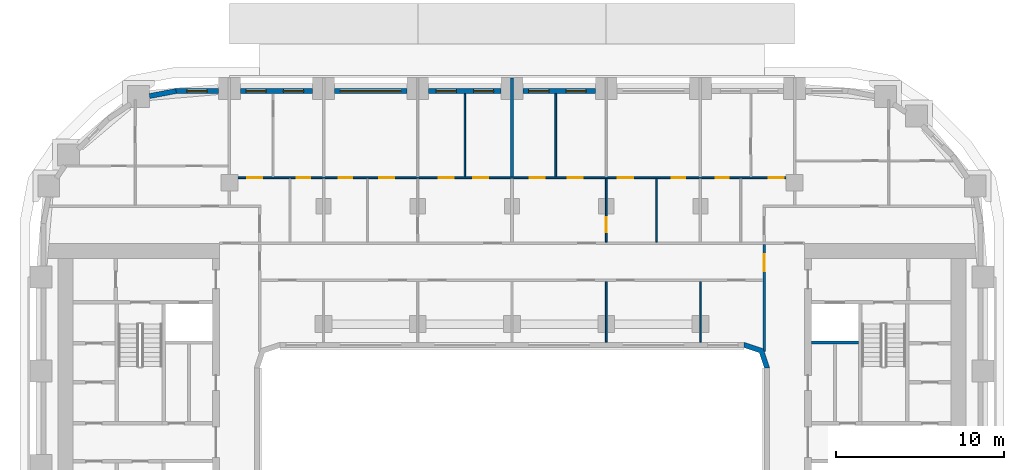
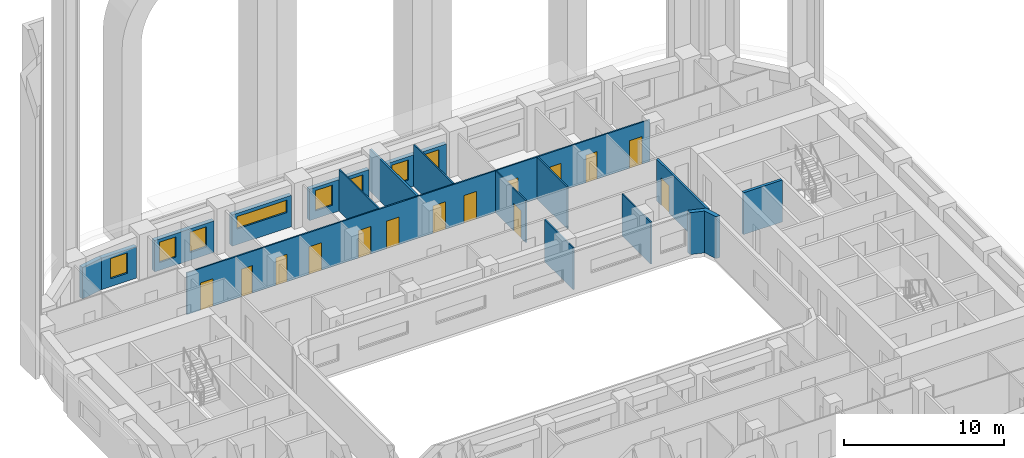
# One storey, part 9 of 19: 17 walls, 14 doors, 8 windows, 22 openings.
"""IFC4 building model written with IfcOpenShell, lengths in metres."""

from ifc_helpers import new_model, si_unit, direction, frame, frame_2d, origin, place, context, subcontext, project, spatial, polyline, rectangle, outline, extrude, material, layer, layer_set, type_object, element, fill, save


model = new_model("IFC4")

# Units and contexts
model_context = context("Model", 3, precision=1e-05, world=origin(), true_north=direction((0.0, 1.0)))
body_context = subcontext(model_context, "Body", "Model", "MODEL_VIEW")
ifc_project = project(units=[si_unit("LENGTHUNIT", "METRE"), si_unit("AREAUNIT", "SQUARE_METRE"), si_unit("VOLUMEUNIT", "CUBIC_METRE"), si_unit("PLANEANGLEUNIT", "RADIAN"), si_unit("MASSUNIT", "GRAM", prefix="KILO")], contexts=[model_context])

# Site, building, storey
site_placement = place(None, origin())
site = spatial("IfcSite", under=ifc_project, at=site_placement, CompositionType="ELEMENT")
building_placement = place(site_placement, origin())
building = spatial("IfcBuilding", under=site, at=building_placement, Name="Kiln Ring Residences", CompositionType="ELEMENT")
storey_placement = place(building_placement, frame((0.0, 0.0, 83.300048828125)))
storey = spatial("IfcBuildingStorey", under=building, at=storey_placement, Name="L20", CompositionType="ELEMENT", Elevation=83.300048828125)

# Wall
ifc_material_1 = material(Name="Gypsum shaft wall system")
ifc_layer_1 = layer(ifc_material_1, 0.199951171875)
ifc_layer_set_1 = layer_set([ifc_layer_1], Name="CORE-SHAFT-WALL-200")
wall_type_1 = type_object("IfcWallType", Name="CORE-SHAFT-WALL-200", PredefinedType="PARTITIONING", material=ifc_layer_set_1)
wall_1_placement = place(storey_placement, frame((17.800048828125, 7.300048828125, 0.0), z_axis=(0.0, 0.0, 1.0), x_axis=(1.0, 0.0, 0.0)))
element("IfcWall", 1, at=wall_1_placement, inside=storey, type_object=wall_type_1, Name="Core partition east L20 15", PredefinedType="PARTITIONING", context=body_context, shape_type="SweptSolid", body=[
    extrude(rectangle(XDim=2.800048828125, YDim=0.199951171875, at=frame_2d((1.39990234375, 0.0))), origin(), (0.0, 0.0, 1.0), 3.199951171875),
])

# Wall, openings, windows
ifc_material_2 = material(Name="Brick masonry, dark clay brick", Category="masonry")
ifc_layer_2 = layer(ifc_material_2, 0.300048828125)
ifc_layer_set_2 = layer_set([ifc_layer_2], Name="EW-300 BRICK WALL")
wall_type_2 = type_object("IfcWallType", Name="EW-300 BRICK WALL", PredefinedType="SOLIDWALL", material=ifc_layer_set_2)
wall_2_placement = place(storey_placement, frame((4.949951171875, 22.25, 0.0), z_axis=(0.0, 0.0, 1.0), x_axis=(-1.0, 0.0, 0.0)))
wall_2 = element("IfcWall", 2, at=wall_2_placement, inside=storey, type_object=wall_type_2, Name="Facade wall L20 31", PredefinedType="SOLIDWALL", context=body_context, shape_type="SweptSolid", body=[
    extrude(rectangle(XDim=4.300048828125, YDim=0.300048828125, at=frame_2d((2.14990234375, 0.0))), origin(), (0.0, 0.0, 1.0), 2.39990234375),
])
opening_1_placement = place(wall_2_placement, frame((0.53759765625, 0.0, 0.60009765625)))
opening_1 = element("IfcOpeningElement", 3, at=opening_1_placement, cuts=wall_2, Name="Opening W1", PredefinedType="OPENING", context=body_context, shape_type="SweptSolid", body=[
    extrude(rectangle(XDim=1.199951171875, YDim=1.550048828125, at=frame_2d((0.60009765625, 0.77490234375))), frame((0.0, 0.159912109375, 0.0), z_axis=(0.0, -1.0, 0.0), x_axis=(1.0, 0.0, 0.0)), (0.0, 0.0, 1.0), 0.320068359375),
])
opening_2_placement = place(wall_2_placement, frame((2.762451171875, 0.0, 0.60009765625)))
opening_2 = element("IfcOpeningElement", 4, at=opening_2_placement, cuts=wall_2, Name="Opening W1", PredefinedType="OPENING", context=body_context, shape_type="SweptSolid", body=[
    extrude(rectangle(XDim=1.199951171875, YDim=1.550048828125, at=frame_2d((0.60009765625, 0.77490234375))), frame((0.0, 0.159912109375, 0.0), z_axis=(0.0, -1.0, 0.0), x_axis=(1.0, 0.0, 0.0)), (0.0, 0.0, 1.0), 0.320068359375),
])
ifc_material_3 = material(Name="Aluminium frame with double glazing", Category="aluminium")
window_type_1 = type_object("IfcWindowType", Name="WINDOW 1200 x 1550", PartitioningType="SINGLE_PANEL", PredefinedType="WINDOW", material=ifc_material_3)
window_1_placement = place(opening_1_placement, origin())
window_1 = element("IfcWindow", 5, at=window_1_placement, inside=storey, type_object=window_type_1, Name="Window L20 20", OverallHeight=1.550048828125, OverallWidth=1.199951171875, PartitioningType="SINGLE_PANEL", PredefinedType="WINDOW", context=body_context, shape_type="SweptSolid", body=[
    extrude(rectangle(XDim=1.199951171875, YDim=1.550048828125, at=frame_2d((0.60009765625, 0.77490234375))), frame((0.0, 0.030029296875, 0.0), z_axis=(0.0, -1.0, 0.0), x_axis=(1.0, 0.0, 0.0)), (0.0, 0.0, 1.0), 0.06005859375),
])
fill(opening_1, window_1)
window_2_placement = place(opening_2_placement, origin())
window_2 = element("IfcWindow", 6, at=window_2_placement, inside=storey, type_object=window_type_1, Name="Window L20 21", OverallHeight=1.550048828125, OverallWidth=1.199951171875, PartitioningType="SINGLE_PANEL", PredefinedType="WINDOW", context=body_context, shape_type="SweptSolid", body=[
    extrude(rectangle(XDim=1.199951171875, YDim=1.550048828125, at=frame_2d((0.60009765625, 0.77490234375))), frame((0.0, 0.030029296875, 0.0), z_axis=(0.0, -1.0, 0.0), x_axis=(1.0, 0.0, 0.0)), (0.0, 0.0, 1.0), 0.06005859375),
])
fill(opening_2, window_2)

wall_3_placement = place(storey_placement, frame((-0.64990234375, 22.25, 0.0), z_axis=(0.0, 0.0, 1.0), x_axis=(-1.0, 0.0, 0.0)))
wall_3 = element("IfcWall", 7, at=wall_3_placement, inside=storey, type_object=wall_type_2, Name="Facade wall L20 32", PredefinedType="SOLIDWALL", context=body_context, shape_type="SweptSolid", body=[
    extrude(rectangle(XDim=4.300048828125, YDim=0.300048828125, at=frame_2d((2.14990234375, 0.0))), origin(), (0.0, 0.0, 1.0), 2.39990234375),
])
opening_3_placement = place(wall_3_placement, frame((0.4375, 0.0, 0.60009765625)))
opening_3 = element("IfcOpeningElement", 8, at=opening_3_placement, cuts=wall_3, Name="Opening W1", PredefinedType="OPENING", context=body_context, shape_type="SweptSolid", body=[
    extrude(rectangle(XDim=1.199951171875, YDim=1.550048828125, at=frame_2d((0.60009765625, 0.77490234375))), frame((0.0, 0.159912109375, 0.0), z_axis=(0.0, -1.0, 0.0), x_axis=(1.0, 0.0, 0.0)), (0.0, 0.0, 1.0), 0.320068359375),
])
opening_4_placement = place(wall_3_placement, frame((2.66259765625, 0.0, 0.60009765625)))
opening_4 = element("IfcOpeningElement", 9, at=opening_4_placement, cuts=wall_3, Name="Opening W1", PredefinedType="OPENING", context=body_context, shape_type="SweptSolid", body=[
    extrude(rectangle(XDim=1.199951171875, YDim=1.550048828125, at=frame_2d((0.60009765625, 0.77490234375))), frame((0.0, 0.159912109375, 0.0), z_axis=(0.0, -1.0, 0.0), x_axis=(1.0, 0.0, 0.0)), (0.0, 0.0, 1.0), 0.320068359375),
])
window_3_placement = place(opening_3_placement, origin())
window_3 = element("IfcWindow", 10, at=window_3_placement, inside=storey, type_object=window_type_1, Name="Window L20 22", OverallHeight=1.550048828125, OverallWidth=1.199951171875, PartitioningType="SINGLE_PANEL", PredefinedType="WINDOW", context=body_context, shape_type="SweptSolid", body=[
    extrude(rectangle(XDim=1.199951171875, YDim=1.550048828125, at=frame_2d((0.60009765625, 0.77490234375))), frame((0.0, 0.030029296875, 0.0), z_axis=(0.0, -1.0, 0.0), x_axis=(1.0, 0.0, 0.0)), (0.0, 0.0, 1.0), 0.06005859375),
])
fill(opening_3, window_3)
window_4_placement = place(opening_4_placement, origin())
window_4 = element("IfcWindow", 11, at=window_4_placement, inside=storey, type_object=window_type_1, Name="Window L20 23", OverallHeight=1.550048828125, OverallWidth=1.199951171875, PartitioningType="SINGLE_PANEL", PredefinedType="WINDOW", context=body_context, shape_type="SweptSolid", body=[
    extrude(rectangle(XDim=1.199951171875, YDim=1.550048828125, at=frame_2d((0.60009765625, 0.77490234375))), frame((0.0, 0.030029296875, 0.0), z_axis=(0.0, -1.0, 0.0), x_axis=(1.0, 0.0, 0.0)), (0.0, 0.0, 1.0), 0.06005859375),
])
fill(opening_4, window_4)

# Wall, opening, window
wall_4_placement = place(storey_placement, frame((-6.25, 22.25, 0.0), z_axis=(0.0, 0.0, 1.0), x_axis=(-1.0, 0.0, 0.0)))
wall_4 = element("IfcWall", 12, at=wall_4_placement, inside=storey, type_object=wall_type_2, Name="Facade wall L20 33", PredefinedType="SOLIDWALL", context=body_context, shape_type="SweptSolid", body=[
    extrude(rectangle(XDim=4.300048828125, YDim=0.300048828125, at=frame_2d((2.14990234375, 0.0))), origin(), (0.0, 0.0, 1.0), 2.39990234375),
])
opening_5_placement = place(wall_4_placement, frame((0.35009765625, 0.0, 1.199951171875)))
opening_5 = element("IfcOpeningElement", 13, at=opening_5_placement, cuts=wall_4, Name="Opening W4", PredefinedType="OPENING", context=body_context, shape_type="SweptSolid", body=[
    extrude(rectangle(XDim=3.60009765625, YDim=0.949951171875, at=frame_2d((1.800048828125, 0.47509765625))), frame((0.0, 0.159912109375, 0.0), z_axis=(0.0, -1.0, 0.0), x_axis=(1.0, 0.0, 0.0)), (0.0, 0.0, 1.0), 0.320068359375),
])
ifc_material_4 = material(Name="Aluminium frame with double glazing", Category="aluminium")
window_type_2 = type_object("IfcWindowType", Name="WINDOW 3600 x 950", PartitioningType="SINGLE_PANEL", PredefinedType="WINDOW", material=ifc_material_4)
window_5_placement = place(opening_5_placement, origin())
window_5 = element("IfcWindow", 14, at=window_5_placement, inside=storey, type_object=window_type_2, Name="Window L20 24", OverallHeight=0.949951171875, OverallWidth=3.60009765625, PartitioningType="SINGLE_PANEL", PredefinedType="WINDOW", context=body_context, shape_type="SweptSolid", body=[
    extrude(rectangle(XDim=3.60009765625, YDim=0.949951171875, at=frame_2d((1.800048828125, 0.47509765625))), frame((0.0, 0.030029296875, 0.0), z_axis=(0.0, -1.0, 0.0), x_axis=(1.0, 0.0, 0.0)), (0.0, 0.0, 1.0), 0.06005859375),
])
fill(opening_5, window_5)

# Wall, openings, windows
wall_5_placement = place(storey_placement, frame((-11.85009765625, 22.25, 0.0), z_axis=(0.0, 0.0, 1.0), x_axis=(-1.0, 0.0, 0.0)))
wall_5 = element("IfcWall", 15, at=wall_5_placement, inside=storey, type_object=wall_type_2, Name="Facade wall L20 34", PredefinedType="SOLIDWALL", context=body_context, shape_type="SweptSolid", body=[
    extrude(rectangle(XDim=4.2998046875, YDim=0.300048828125, at=frame_2d((2.14990234375, 0.0))), origin(), (0.0, 0.0, 1.0), 2.39990234375),
])
opening_6_placement = place(wall_5_placement, frame((0.53759765625, 0.0, 0.60009765625)))
opening_6 = element("IfcOpeningElement", 16, at=opening_6_placement, cuts=wall_5, Name="Opening W1", PredefinedType="OPENING", context=body_context, shape_type="SweptSolid", body=[
    extrude(rectangle(XDim=1.199951171875, YDim=1.550048828125, at=frame_2d((0.60009765625, 0.77490234375))), frame((0.0, 0.159912109375, 0.0), z_axis=(0.0, -1.0, 0.0), x_axis=(1.0, 0.0, 0.0)), (0.0, 0.0, 1.0), 0.320068359375),
])
opening_7_placement = place(wall_5_placement, frame((2.762451171875, 0.0, 0.60009765625)))
opening_7 = element("IfcOpeningElement", 17, at=opening_7_placement, cuts=wall_5, Name="Opening W1", PredefinedType="OPENING", context=body_context, shape_type="SweptSolid", body=[
    extrude(rectangle(XDim=1.199951171875, YDim=1.550048828125, at=frame_2d((0.60009765625, 0.77490234375))), frame((0.0, 0.159912109375, 0.0), z_axis=(0.0, -1.0, 0.0), x_axis=(1.0, 0.0, 0.0)), (0.0, 0.0, 1.0), 0.320068359375),
])
window_6_placement = place(opening_6_placement, origin())
window_6 = element("IfcWindow", 18, at=window_6_placement, inside=storey, type_object=window_type_1, Name="Window L20 25", OverallHeight=1.550048828125, OverallWidth=1.199951171875, PartitioningType="SINGLE_PANEL", PredefinedType="WINDOW", context=body_context, shape_type="SweptSolid", body=[
    extrude(rectangle(XDim=1.199951171875, YDim=1.550048828125, at=frame_2d((0.60009765625, 0.77490234375))), frame((0.0, 0.030029296875, 0.0), z_axis=(0.0, -1.0, 0.0), x_axis=(1.0, 0.0, 0.0)), (0.0, 0.0, 1.0), 0.06005859375),
])
fill(opening_6, window_6)
window_7_placement = place(opening_7_placement, origin())
window_7 = element("IfcWindow", 19, at=window_7_placement, inside=storey, type_object=window_type_1, Name="Window L20 26", OverallHeight=1.550048828125, OverallWidth=1.199951171875, PartitioningType="SINGLE_PANEL", PredefinedType="WINDOW", context=body_context, shape_type="SweptSolid", body=[
    extrude(rectangle(XDim=1.199951171875, YDim=1.550048828125, at=frame_2d((0.60009765625, 0.77490234375))), frame((0.0, 0.030029296875, 0.0), z_axis=(0.0, -1.0, 0.0), x_axis=(1.0, 0.0, 0.0)), (0.0, 0.0, 1.0), 0.06005859375),
])
fill(opening_7, window_7)

# Wall, opening, window
wall_6_placement = place(storey_placement, frame((-17.449951171875, 22.25, 0.0), z_axis=(0.0, 0.0, 1.0), x_axis=(-1.0, 0.0, 0.0)))
wall_6 = element("IfcWall", 20, at=wall_6_placement, inside=storey, type_object=wall_type_2, Name="Facade wall L20 35", PredefinedType="SOLIDWALL", context=body_context, shape_type="SweptSolid", body=[
    extrude(rectangle(XDim=2.550048828125, YDim=0.300048828125, at=frame_2d((1.27490234375, 0.0))), origin(), (0.0, 0.0, 1.0), 2.39990234375),
])
opening_8_placement = place(wall_6_placement, frame((0.675048828125, 0.0, 0.60009765625)))
opening_8 = element("IfcOpeningElement", 21, at=opening_8_placement, cuts=wall_6, Name="Opening W1", PredefinedType="OPENING", context=body_context, shape_type="SweptSolid", body=[
    extrude(rectangle(XDim=1.199951171875, YDim=1.550048828125, at=frame_2d((0.60009765625, 0.77490234375))), frame((0.0, 0.159912109375, 0.0), z_axis=(0.0, -1.0, 0.0), x_axis=(1.0, 0.0, 0.0)), (0.0, 0.0, 1.0), 0.320068359375),
])
window_8_placement = place(opening_8_placement, origin())
window_8 = element("IfcWindow", 22, at=window_8_placement, inside=storey, type_object=window_type_1, Name="Window L20 27", OverallHeight=1.550048828125, OverallWidth=1.199951171875, PartitioningType="SINGLE_PANEL", PredefinedType="WINDOW", context=body_context, shape_type="SweptSolid", body=[
    extrude(rectangle(XDim=1.199951171875, YDim=1.550048828125, at=frame_2d((0.60009765625, 0.77490234375))), frame((0.0, 0.030029296875, 0.0), z_axis=(0.0, -1.0, 0.0), x_axis=(1.0, 0.0, 0.0)), (0.0, 0.0, 1.0), 0.06005859375),
])
fill(opening_8, window_8)

# Walls
wall_7_placement = place(storey_placement, frame((-19.971923828125, 22.252685546875, 0.0), z_axis=(0.0, 0.0, 1.0), x_axis=(-0.982278644094, -0.187426426519, 0.0)))
element("IfcWall", 23, at=wall_7_placement, inside=storey, type_object=wall_type_2, Name="Facade wall L20 36", PredefinedType="SOLIDWALL", context=body_context, shape_type="SweptSolid", body=[
    extrude(rectangle(XDim=1.606201171875, YDim=0.300048828125, at=frame_2d((0.80322265625, 0.0))), origin(), (0.0, 0.0, 1.0), 2.39990234375),
])
wall_8_placement = place(storey_placement, origin())
element("IfcWall", 24, at=wall_8_placement, inside=storey, type_object=wall_type_2, Name="Corner wall L20 2", PredefinedType="SOLIDWALL", context=body_context, shape_type="SweptSolid", body=[
    extrude(outline(polyline([(14.937255859375, 6.937255859375), (13.8486328125, 7.300048828125), (13.800048828125, 7.300048828125), (13.800048828125, 7.0), (14.699951171875, 6.699951171875), (15.0, 5.800048828125), (15.300048828125, 5.800048828125), (15.300048828125, 5.8486328125), (14.937255859375, 6.937255859375)])), origin(), (0.0, 0.0, 1.0), 3.199951171875),
])

# Wall, openings, doors
ifc_material_5 = material(Name="Gypsum board on steel studs", Category="steel")
ifc_layer_3 = layer(ifc_material_5, 0.10009765625)
ifc_layer_set_3 = layer_set([ifc_layer_3], Name="PARTITION-100")
wall_type_3 = type_object("IfcWallType", Name="PARTITION-100", PredefinedType="PARTITIONING", material=ifc_layer_set_3)
wall_9_placement = place(storey_placement, frame((-16.72509765625, 17.10009765625, 0.0), z_axis=(0.0, 0.0, 1.0), x_axis=(1.0, 0.0, 0.0)))
wall_9 = element("IfcWall", 25, at=wall_9_placement, inside=storey, type_object=wall_type_3, Name="Partition 011", PredefinedType="PARTITIONING", context=body_context, shape_type="SweptSolid", body=[
    extrude(rectangle(XDim=33.4501953125, YDim=0.10009765625, at=frame_2d((16.72509765625, 0.0))), origin(), (0.0, 0.0, 1.0), 3.199951171875),
])
opening_9_placement = place(wall_9_placement, frame((3.925048828125, 0.0, 0.0)))
opening_9 = element("IfcOpeningElement", 26, at=opening_9_placement, cuts=wall_9, Name="Opening L20-D016", PredefinedType="OPENING", context=body_context, shape_type="SweptSolid", body=[
    extrude(rectangle(XDim=0.800048828125, YDim=2.10009765625, at=frame_2d((0.39990234375, 1.050048828125))), frame((0.0, 0.06005859375, 0.0), z_axis=(0.0, -1.0, 0.0), x_axis=(1.0, 0.0, 0.0)), (0.0, 0.0, 1.0), 0.1201171875),
])
opening_10_placement = place(wall_9_placement, frame((0.97509765625, 0.0, 0.0)))
opening_10 = element("IfcOpeningElement", 27, at=opening_10_placement, cuts=wall_9, Name="Opening L20-D017", PredefinedType="OPENING", context=body_context, shape_type="SweptSolid", body=[
    extrude(rectangle(XDim=0.89990234375, YDim=2.10009765625, at=frame_2d((0.449951171875, 1.050048828125))), frame((0.0, 0.06005859375, 0.0), z_axis=(0.0, -1.0, 0.0), x_axis=(1.0, 0.0, 0.0)), (0.0, 0.0, 1.0), 0.1201171875),
])
opening_11_placement = place(wall_9_placement, frame((6.425048828125, 0.0, 0.0)))
opening_11 = element("IfcOpeningElement", 28, at=opening_11_placement, cuts=wall_9, Name="Opening L20-D021", PredefinedType="OPENING", context=body_context, shape_type="SweptSolid", body=[
    extrude(rectangle(XDim=0.800048828125, YDim=2.10009765625, at=frame_2d((0.39990234375, 1.050048828125))), frame((0.0, 0.06005859375, 0.0), z_axis=(0.0, -1.0, 0.0), x_axis=(1.0, 0.0, 0.0)), (0.0, 0.0, 1.0), 0.1201171875),
])
opening_12_placement = place(wall_9_placement, frame((8.824951171875, 0.0, 0.0)))
opening_12 = element("IfcOpeningElement", 29, at=opening_12_placement, cuts=wall_9, Name="Opening L20-D022", PredefinedType="OPENING", context=body_context, shape_type="SweptSolid", body=[
    extrude(rectangle(XDim=0.89990234375, YDim=2.10009765625, at=frame_2d((0.449951171875, 1.050048828125))), frame((0.0, 0.06005859375, 0.0), z_axis=(0.0, -1.0, 0.0), x_axis=(1.0, 0.0, 0.0)), (0.0, 0.0, 1.0), 0.1201171875),
])
opening_13_placement = place(wall_9_placement, frame((12.375, 0.0, 0.0)))
opening_13 = element("IfcOpeningElement", 30, at=opening_13_placement, cuts=wall_9, Name="Opening L20-D023", PredefinedType="OPENING", context=body_context, shape_type="SweptSolid", body=[
    extrude(rectangle(XDim=0.89990234375, YDim=2.10009765625, at=frame_2d((0.449951171875, 1.050048828125))), frame((0.0, 0.06005859375, 0.0), z_axis=(0.0, -1.0, 0.0), x_axis=(1.0, 0.0, 0.0)), (0.0, 0.0, 1.0), 0.1201171875),
])
opening_14_placement = place(wall_9_placement, frame((14.425048828125, 0.0, 0.0)))
opening_14 = element("IfcOpeningElement", 31, at=opening_14_placement, cuts=wall_9, Name="Opening L20-D024", PredefinedType="OPENING", context=body_context, shape_type="SweptSolid", body=[
    extrude(rectangle(XDim=0.89990234375, YDim=2.10009765625, at=frame_2d((0.449951171875, 1.050048828125))), frame((0.0, 0.06005859375, 0.0), z_axis=(0.0, -1.0, 0.0), x_axis=(1.0, 0.0, 0.0)), (0.0, 0.0, 1.0), 0.1201171875),
])
opening_15_placement = place(wall_9_placement, frame((26.22509765625, 0.0, 0.0)))
opening_15 = element("IfcOpeningElement", 32, at=opening_15_placement, cuts=wall_9, Name="Opening L20-D027", PredefinedType="OPENING", context=body_context, shape_type="SweptSolid", body=[
    extrude(rectangle(XDim=0.800048828125, YDim=2.10009765625, at=frame_2d((0.39990234375, 1.050048828125))), frame((0.0, 0.06005859375, 0.0), z_axis=(0.0, -1.0, 0.0), x_axis=(1.0, 0.0, 0.0)), (0.0, 0.0, 1.0), 0.1201171875),
])
opening_16_placement = place(wall_9_placement, frame((23.02490234375, 0.0, 0.0)))
opening_16 = element("IfcOpeningElement", 33, at=opening_16_placement, cuts=wall_9, Name="Opening L20-D028", PredefinedType="OPENING", context=body_context, shape_type="SweptSolid", body=[
    extrude(rectangle(XDim=0.89990234375, YDim=2.10009765625, at=frame_2d((0.449951171875, 1.050048828125))), frame((0.0, 0.06005859375, 0.0), z_axis=(0.0, -1.0, 0.0), x_axis=(1.0, 0.0, 0.0)), (0.0, 0.0, 1.0), 0.1201171875),
])
opening_17_placement = place(wall_9_placement, frame((17.77490234375, 0.0, 0.0)))
opening_17 = element("IfcOpeningElement", 34, at=opening_17_placement, cuts=wall_9, Name="Opening L20-D029", PredefinedType="OPENING", context=body_context, shape_type="SweptSolid", body=[
    extrude(rectangle(XDim=0.89990234375, YDim=2.10009765625, at=frame_2d((0.449951171875, 1.050048828125))), frame((0.0, 0.06005859375, 0.0), z_axis=(0.0, -1.0, 0.0), x_axis=(1.0, 0.0, 0.0)), (0.0, 0.0, 1.0), 0.1201171875),
])
opening_18_placement = place(wall_9_placement, frame((20.02490234375, 0.0, 0.0)))
opening_18 = element("IfcOpeningElement", 35, at=opening_18_placement, cuts=wall_9, Name="Opening L20-D030", PredefinedType="OPENING", context=body_context, shape_type="SweptSolid", body=[
    extrude(rectangle(XDim=0.89990234375, YDim=2.10009765625, at=frame_2d((0.449951171875, 1.050048828125))), frame((0.0, 0.06005859375, 0.0), z_axis=(0.0, -1.0, 0.0), x_axis=(1.0, 0.0, 0.0)), (0.0, 0.0, 1.0), 0.1201171875),
])
opening_19_placement = place(wall_9_placement, frame((28.824951171875, 0.0, 0.0)))
opening_19 = element("IfcOpeningElement", 36, at=opening_19_placement, cuts=wall_9, Name="Opening L20-D032", PredefinedType="OPENING", context=body_context, shape_type="SweptSolid", body=[
    extrude(rectangle(XDim=0.800048828125, YDim=2.10009765625, at=frame_2d((0.39990234375, 1.050048828125))), frame((0.0, 0.06005859375, 0.0), z_axis=(0.0, -1.0, 0.0), x_axis=(1.0, 0.0, 0.0)), (0.0, 0.0, 1.0), 0.1201171875),
])
opening_20_placement = place(wall_9_placement, frame((31.97509765625, 0.0, 0.0)))
opening_20 = element("IfcOpeningElement", 37, at=opening_20_placement, cuts=wall_9, Name="Opening L20-D033", PredefinedType="OPENING", context=body_context, shape_type="SweptSolid", body=[
    extrude(rectangle(XDim=0.89990234375, YDim=2.10009765625, at=frame_2d((0.449951171875, 1.050048828125))), frame((0.0, 0.06005859375, 0.0), z_axis=(0.0, -1.0, 0.0), x_axis=(1.0, 0.0, 0.0)), (0.0, 0.0, 1.0), 0.1201171875),
])
ifc_material_6 = material(Name="Timber door leaf", Category="wood")
door_type_1 = type_object("IfcDoorType", Name="FLAT-DOOR-800-PL", OperationType="SINGLE_SWING_LEFT", PredefinedType="DOOR", material=ifc_material_6)
door_1_placement = place(opening_9_placement, origin())
door_1 = element("IfcDoor", 38, at=door_1_placement, inside=storey, type_object=door_type_1, Name="Door L20-D016", OperationType="SINGLE_SWING_LEFT", OverallHeight=2.10009765625, OverallWidth=0.800048828125, PredefinedType="DOOR", context=body_context, shape_type="SweptSolid", body=[
    extrude(rectangle(XDim=0.800048828125, YDim=2.10009765625, at=frame_2d((0.39990234375, 1.050048828125))), frame((0.0, 0.02490234375, 0.0), z_axis=(0.0, -1.0, 0.0), x_axis=(1.0, 0.0, 0.0)), (0.0, 0.0, 1.0), 0.050048828125),
])
fill(opening_9, door_1)
door_2_placement = place(opening_11_placement, origin())
door_2 = element("IfcDoor", 39, at=door_2_placement, inside=storey, type_object=door_type_1, Name="Door L20-D021", OperationType="SINGLE_SWING_LEFT", OverallHeight=2.10009765625, OverallWidth=0.800048828125, PredefinedType="DOOR", context=body_context, shape_type="SweptSolid", body=[
    extrude(rectangle(XDim=0.800048828125, YDim=2.10009765625, at=frame_2d((0.39990234375, 1.050048828125))), frame((0.0, 0.02490234375, 0.0), z_axis=(0.0, -1.0, 0.0), x_axis=(1.0, 0.0, 0.0)), (0.0, 0.0, 1.0), 0.050048828125),
])
fill(opening_11, door_2)
door_3_placement = place(opening_15_placement, origin())
door_3 = element("IfcDoor", 40, at=door_3_placement, inside=storey, type_object=door_type_1, Name="Door L20-D027", OperationType="SINGLE_SWING_LEFT", OverallHeight=2.10009765625, OverallWidth=0.800048828125, PredefinedType="DOOR", context=body_context, shape_type="SweptSolid", body=[
    extrude(rectangle(XDim=0.800048828125, YDim=2.10009765625, at=frame_2d((0.39990234375, 1.050048828125))), frame((0.0, 0.02490234375, 0.0), z_axis=(0.0, -1.0, 0.0), x_axis=(1.0, 0.0, 0.0)), (0.0, 0.0, 1.0), 0.050048828125),
])
fill(opening_15, door_3)
door_4_placement = place(opening_19_placement, origin())
door_4 = element("IfcDoor", 41, at=door_4_placement, inside=storey, type_object=door_type_1, Name="Door L20-D032", OperationType="SINGLE_SWING_RIGHT", OverallHeight=2.10009765625, OverallWidth=0.800048828125, PredefinedType="DOOR", context=body_context, shape_type="SweptSolid", body=[
    extrude(rectangle(XDim=0.800048828125, YDim=2.10009765625, at=frame_2d((0.39990234375, 1.050048828125))), frame((0.0, 0.02490234375, 0.0), z_axis=(0.0, -1.0, 0.0), x_axis=(1.0, 0.0, 0.0)), (0.0, 0.0, 1.0), 0.050048828125),
])
fill(opening_19, door_4)
ifc_material_7 = material(Name="Timber door leaf", Category="wood")
door_type_2 = type_object("IfcDoorType", Name="FLAT-DOOR-900-PL", OperationType="SINGLE_SWING_LEFT", PredefinedType="DOOR", material=ifc_material_7)
door_5_placement = place(opening_10_placement, origin())
door_5 = element("IfcDoor", 42, at=door_5_placement, inside=storey, type_object=door_type_2, Name="Door L20-D017", OperationType="SINGLE_SWING_LEFT", OverallHeight=2.10009765625, OverallWidth=0.89990234375, PredefinedType="DOOR", context=body_context, shape_type="SweptSolid", body=[
    extrude(rectangle(XDim=0.89990234375, YDim=2.10009765625, at=frame_2d((0.449951171875, 1.050048828125))), frame((0.0, 0.02490234375, 0.0), z_axis=(0.0, -1.0, 0.0), x_axis=(1.0, 0.0, 0.0)), (0.0, 0.0, 1.0), 0.050048828125),
])
fill(opening_10, door_5)
door_6_placement = place(opening_12_placement, origin())
door_6 = element("IfcDoor", 43, at=door_6_placement, inside=storey, type_object=door_type_2, Name="Door L20-D022", OperationType="SINGLE_SWING_RIGHT", OverallHeight=2.10009765625, OverallWidth=0.89990234375, PredefinedType="DOOR", context=body_context, shape_type="SweptSolid", body=[
    extrude(rectangle(XDim=0.89990234375, YDim=2.10009765625, at=frame_2d((0.449951171875, 1.050048828125))), frame((0.0, 0.02490234375, 0.0), z_axis=(0.0, -1.0, 0.0), x_axis=(1.0, 0.0, 0.0)), (0.0, 0.0, 1.0), 0.050048828125),
])
fill(opening_12, door_6)
door_7_placement = place(opening_13_placement, origin())
door_7 = element("IfcDoor", 44, at=door_7_placement, inside=storey, type_object=door_type_2, Name="Door L20-D023", OperationType="SINGLE_SWING_LEFT", OverallHeight=2.10009765625, OverallWidth=0.89990234375, PredefinedType="DOOR", context=body_context, shape_type="SweptSolid", body=[
    extrude(rectangle(XDim=0.89990234375, YDim=2.10009765625, at=frame_2d((0.449951171875, 1.050048828125))), frame((0.0, 0.02490234375, 0.0), z_axis=(0.0, -1.0, 0.0), x_axis=(1.0, 0.0, 0.0)), (0.0, 0.0, 1.0), 0.050048828125),
])
fill(opening_13, door_7)
door_8_placement = place(opening_14_placement, origin())
door_8 = element("IfcDoor", 45, at=door_8_placement, inside=storey, type_object=door_type_2, Name="Door L20-D024", OperationType="SINGLE_SWING_RIGHT", OverallHeight=2.10009765625, OverallWidth=0.89990234375, PredefinedType="DOOR", context=body_context, shape_type="SweptSolid", body=[
    extrude(rectangle(XDim=0.89990234375, YDim=2.10009765625, at=frame_2d((0.449951171875, 1.050048828125))), frame((0.0, 0.02490234375, 0.0), z_axis=(0.0, -1.0, 0.0), x_axis=(1.0, 0.0, 0.0)), (0.0, 0.0, 1.0), 0.050048828125),
])
fill(opening_14, door_8)
door_9_placement = place(opening_16_placement, origin())
door_9 = element("IfcDoor", 46, at=door_9_placement, inside=storey, type_object=door_type_2, Name="Door L20-D028", OperationType="SINGLE_SWING_RIGHT", OverallHeight=2.10009765625, OverallWidth=0.89990234375, PredefinedType="DOOR", context=body_context, shape_type="SweptSolid", body=[
    extrude(rectangle(XDim=0.89990234375, YDim=2.10009765625, at=frame_2d((0.449951171875, 1.050048828125))), frame((0.0, 0.02490234375, 0.0), z_axis=(0.0, -1.0, 0.0), x_axis=(1.0, 0.0, 0.0)), (0.0, 0.0, 1.0), 0.050048828125),
])
fill(opening_16, door_9)
door_10_placement = place(opening_17_placement, origin())
door_10 = element("IfcDoor", 47, at=door_10_placement, inside=storey, type_object=door_type_2, Name="Door L20-D029", OperationType="SINGLE_SWING_LEFT", OverallHeight=2.10009765625, OverallWidth=0.89990234375, PredefinedType="DOOR", context=body_context, shape_type="SweptSolid", body=[
    extrude(rectangle(XDim=0.89990234375, YDim=2.10009765625, at=frame_2d((0.449951171875, 1.050048828125))), frame((0.0, 0.02490234375, 0.0), z_axis=(0.0, -1.0, 0.0), x_axis=(1.0, 0.0, 0.0)), (0.0, 0.0, 1.0), 0.050048828125),
])
fill(opening_17, door_10)
door_11_placement = place(opening_18_placement, origin())
door_11 = element("IfcDoor", 48, at=door_11_placement, inside=storey, type_object=door_type_2, Name="Door L20-D030", OperationType="SINGLE_SWING_RIGHT", OverallHeight=2.10009765625, OverallWidth=0.89990234375, PredefinedType="DOOR", context=body_context, shape_type="SweptSolid", body=[
    extrude(rectangle(XDim=0.89990234375, YDim=2.10009765625, at=frame_2d((0.449951171875, 1.050048828125))), frame((0.0, 0.02490234375, 0.0), z_axis=(0.0, -1.0, 0.0), x_axis=(1.0, 0.0, 0.0)), (0.0, 0.0, 1.0), 0.050048828125),
])
fill(opening_18, door_11)
door_12_placement = place(opening_20_placement, origin())
door_12 = element("IfcDoor", 49, at=door_12_placement, inside=storey, type_object=door_type_2, Name="Door L20-D033", OperationType="SINGLE_SWING_LEFT", OverallHeight=2.10009765625, OverallWidth=0.89990234375, PredefinedType="DOOR", context=body_context, shape_type="SweptSolid", body=[
    extrude(rectangle(XDim=0.89990234375, YDim=2.10009765625, at=frame_2d((0.449951171875, 1.050048828125))), frame((0.0, 0.02490234375, 0.0), z_axis=(0.0, -1.0, 0.0), x_axis=(1.0, 0.0, 0.0)), (0.0, 0.0, 1.0), 0.050048828125),
])
fill(opening_20, door_12)

# Walls
for number, where, z_axis, x_axis, name in (
    (50, (-2.800048828125, 17.14990234375, 0.0), (0.0, 0.0, 1.0), (0.0, 1.0, 0.0), "Partition 045"),
    (51, (2.60009765625, 17.14990234375, 0.0), (0.0, 0.0, 1.0), (0.0, 1.0, 0.0), "Partition 053"),
):
    element("IfcWall", number, at=place(storey_placement, frame(where, z_axis=z_axis, x_axis=x_axis)), inside=storey, type_object=wall_type_3, Name=name, PredefinedType="PARTITIONING", context=body_context, shape_type="SweptSolid", body=[
        extrude(rectangle(XDim=4.93017578125, YDim=0.10009765625, at=frame_2d((2.465087890625, 0.0))), origin(), (0.0, 0.0, 1.0), 3.199951171875),
    ])
wall_10_placement = place(storey_placement, frame((5.60009765625, 7.320068359375, 0.0), z_axis=(0.0, 0.0, 1.0), x_axis=(0.0, 1.0, 0.0)))
element("IfcWall", 52, at=wall_10_placement, inside=storey, type_object=wall_type_3, Name="Partition 056", PredefinedType="PARTITIONING", context=body_context, shape_type="SweptSolid", body=[
    extrude(rectangle(XDim=3.60498046875, YDim=0.10009765625, at=frame_2d((1.802490234375, 0.0))), origin(), (0.0, 0.0, 1.0), 3.199951171875),
])

# Wall, opening, door
wall_11_placement = place(storey_placement, frame((5.60009765625, 13.27490234375, 0.0), z_axis=(0.0, 0.0, 1.0), x_axis=(0.0, 1.0, 0.0)))
wall_11 = element("IfcWall", 53, at=wall_11_placement, inside=storey, type_object=wall_type_3, Name="Partition 057", PredefinedType="PARTITIONING", context=body_context, shape_type="SweptSolid", body=[
    extrude(rectangle(XDim=3.775146484375, YDim=0.10009765625, at=frame_2d((1.8876953125, 0.0))), origin(), (0.0, 0.0, 1.0), 3.199951171875),
])
opening_21_placement = place(wall_11_placement, frame((0.575927734375, 0.0, 0.0)))
opening_21 = element("IfcOpeningElement", 54, at=opening_21_placement, cuts=wall_11, Name="Opening L20-D026", PredefinedType="OPENING", context=body_context, shape_type="SweptSolid", body=[
    extrude(rectangle(XDim=0.89990234375, YDim=2.10009765625, at=frame_2d((0.449951171875, 1.050048828125))), frame((0.0, 0.06005859375, 0.0), z_axis=(0.0, -1.0, 0.0), x_axis=(1.0, 0.0, 0.0)), (0.0, 0.0, 1.0), 0.1201171875),
])
door_13_placement = place(opening_21_placement, origin())
door_13 = element("IfcDoor", 55, at=door_13_placement, inside=storey, type_object=door_type_2, Name="Door L20-D026", OperationType="SINGLE_SWING_LEFT", OverallHeight=2.10009765625, OverallWidth=0.89990234375, PredefinedType="DOOR", context=body_context, shape_type="SweptSolid", body=[
    extrude(rectangle(XDim=0.89990234375, YDim=2.10009765625, at=frame_2d((0.449951171875, 1.050048828125))), frame((0.0, 0.02490234375, 0.0), z_axis=(0.0, -1.0, 0.0), x_axis=(1.0, 0.0, 0.0)), (0.0, 0.0, 1.0), 0.050048828125),
])
fill(opening_21, door_13)

# Walls
wall_12_placement = place(storey_placement, frame((8.60009765625, 13.27490234375, 0.0), z_axis=(0.0, 0.0, 1.0), x_axis=(0.0, 1.0, 0.0)))
element("IfcWall", 56, at=wall_12_placement, inside=storey, type_object=wall_type_3, Name="Partition 063", PredefinedType="PARTITIONING", context=body_context, shape_type="SweptSolid", body=[
    extrude(rectangle(XDim=3.775146484375, YDim=0.10009765625, at=frame_2d((1.8876953125, 0.0))), origin(), (0.0, 0.0, 1.0), 3.199951171875),
])
wall_13_placement = place(storey_placement, frame((11.199951171875, 7.320068359375, 0.0), z_axis=(0.0, 0.0, 1.0), x_axis=(0.0, 1.0, 0.0)))
element("IfcWall", 57, at=wall_13_placement, inside=storey, type_object=wall_type_3, Name="Partition 067", PredefinedType="PARTITIONING", context=body_context, shape_type="SweptSolid", body=[
    extrude(rectangle(XDim=3.60498046875, YDim=0.10009765625, at=frame_2d((1.802490234375, 0.0))), origin(), (0.0, 0.0, 1.0), 3.199951171875),
])
ifc_material_8 = material(Name="Brick masonry partition", Category="masonry")
ifc_layer_4 = layer(ifc_material_8, 0.14990234375)
ifc_layer_set_4 = layer_set([ifc_layer_4], Name="PARTITION-150-ei60")
wall_type_4 = type_object("IfcWallType", Name="PARTITION-150-ei60", PredefinedType="PARTITIONING", material=ifc_layer_set_4)
wall_14_placement = place(storey_placement, frame((0.0, 17.14990234375, 0.0), z_axis=(0.0, 0.0, 1.0), x_axis=(0.0, 1.0, 0.0)))
element("IfcWall", 58, at=wall_14_placement, inside=storey, type_object=wall_type_4, Name="Partition 052", PredefinedType="PARTITIONING", context=body_context, shape_type="SweptSolid", body=[
    extrude(rectangle(XDim=5.880126953125, YDim=0.14990234375, at=frame_2d((2.93994140625, 0.0))), origin(), (0.0, 0.0, 1.0), 3.199951171875),
])

# Wall, opening, door
wall_15_placement = place(storey_placement, frame((15.0, 6.768798828125, 0.0), z_axis=(0.0, 0.0, 1.0), x_axis=(0.0, 1.0, 0.0)))
wall_15 = element("IfcWall", 59, at=wall_15_placement, inside=storey, type_object=wall_type_4, Name="Partition 076", PredefinedType="PARTITIONING", context=body_context, shape_type="SweptSolid", body=[
    extrude(rectangle(XDim=6.356201171875, YDim=0.14990234375, at=frame_2d((3.17822265625, 0.0))), origin(), (0.0, 0.0, 1.0), 3.199951171875),
])
opening_22_placement = place(wall_15_placement, frame((4.78125, 0.0, 0.0)))
opening_22 = element("IfcOpeningElement", 60, at=opening_22_placement, cuts=wall_15, Name="Opening L20-D002", PredefinedType="OPENING", context=body_context, shape_type="SweptSolid", body=[
    extrude(rectangle(XDim=1.0, YDim=2.10009765625, at=frame_2d((0.5, 1.050048828125))), frame((0.0, 0.0849609375, 0.0), z_axis=(0.0, -1.0, 0.0), x_axis=(1.0, 0.0, 0.0)), (0.0, 0.0, 1.0), 0.169921875),
])
ifc_material_9 = material(Name="Steel faced fire door leaf", Category="steel")
door_type_3 = type_object("IfcDoorType", Name="FLAT-DOOR-1000-FR", OperationType="SINGLE_SWING_LEFT", PredefinedType="DOOR", material=ifc_material_9)
door_14_placement = place(opening_22_placement, origin())
door_14 = element("IfcDoor", 61, at=door_14_placement, inside=storey, type_object=door_type_3, Name="Door L20-D002", OperationType="SINGLE_SWING_LEFT", OverallHeight=2.10009765625, OverallWidth=1.0, PredefinedType="DOOR", context=body_context, shape_type="SweptSolid", body=[
    extrude(rectangle(XDim=1.0, YDim=2.10009765625, at=frame_2d((0.5, 1.050048828125))), frame((0.0, 0.02490234375, 0.0), z_axis=(0.0, -1.0, 0.0), x_axis=(1.0, 0.0, 0.0)), (0.0, 0.0, 1.0), 0.050048828125),
])
fill(opening_22, door_14)

save(model, "model.ifc")
